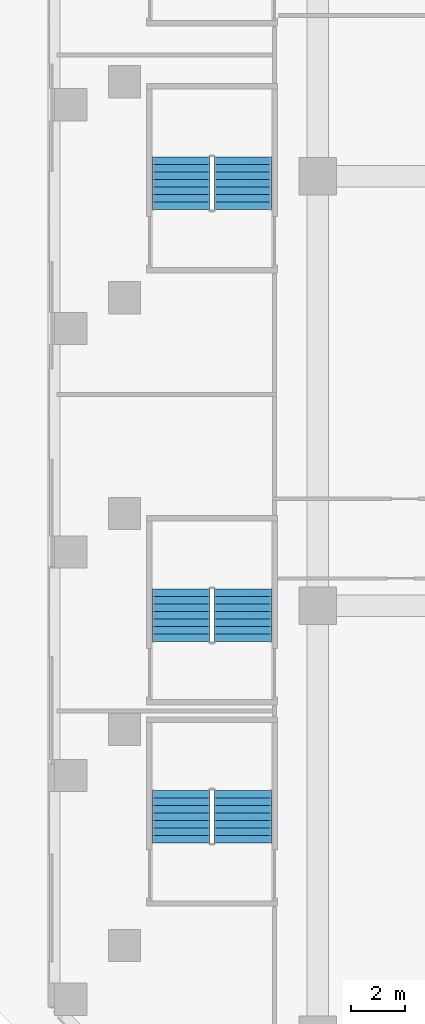
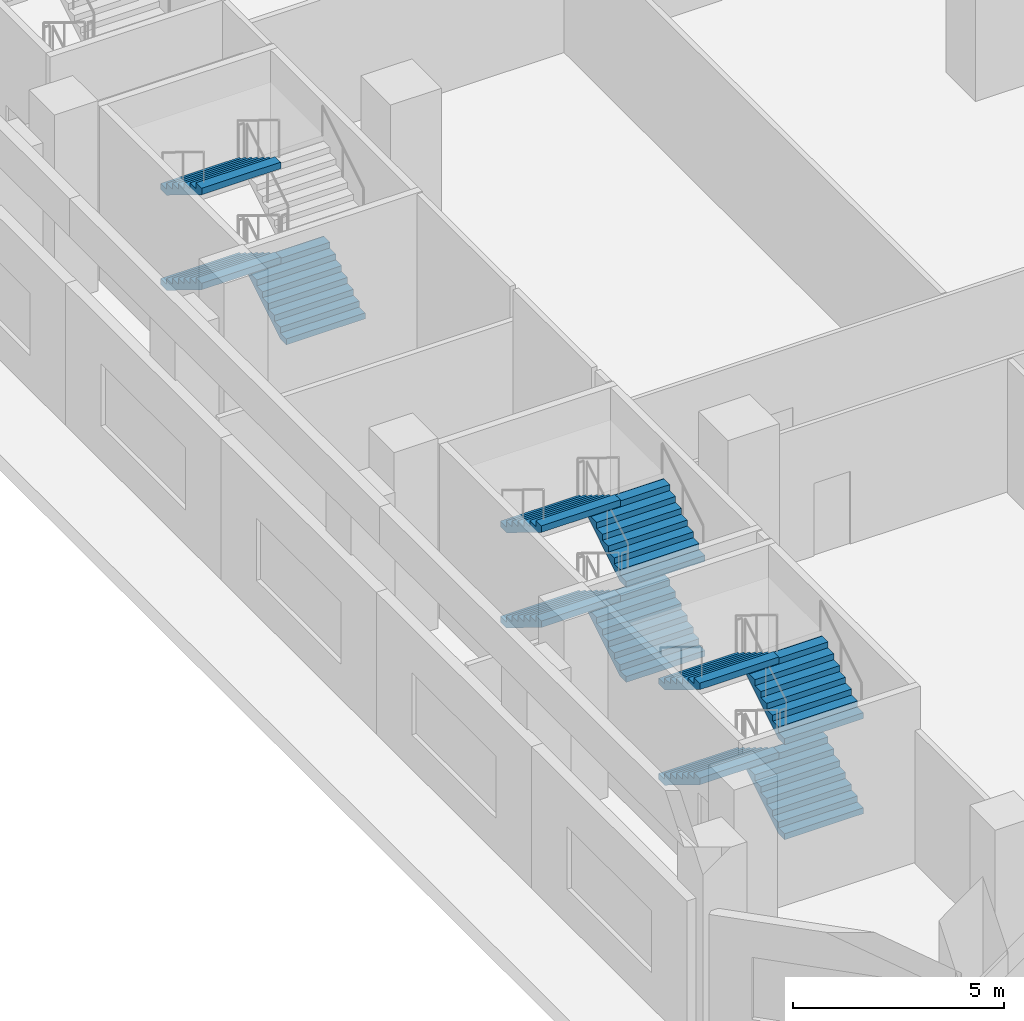
# One storey, part 13 of 22: 11 stair flights, 3 elements without a shape of their own.
"""IFC4 building model written with IfcOpenShell, lengths in metres."""

from ifc_helpers import new_model, si_unit, direction, frame, origin, place, context, subcontext, project, spatial, faceted_brep, source, transform, mapped, material, type_object, element, aggregate, save


model = new_model("IFC4")

# Units and contexts
model_context = context("Model", 3, precision=1e-05, world=origin(), true_north=direction((0.0, 1.0)))
body_context = subcontext(model_context, "Body", "Model", "MODEL_VIEW")
ifc_project = project(units=[si_unit("LENGTHUNIT", "METRE"), si_unit("AREAUNIT", "SQUARE_METRE"), si_unit("VOLUMEUNIT", "CUBIC_METRE"), si_unit("PLANEANGLEUNIT", "RADIAN"), si_unit("MASSUNIT", "GRAM", prefix="KILO")], contexts=[model_context])

# Site, building, storey
site_placement = place(None, origin())
site = spatial("IfcSite", under=ifc_project, at=site_placement, CompositionType="ELEMENT")
building_placement = place(site_placement, origin())
building = spatial("IfcBuilding", under=site, at=building_placement, Name="Calabash Gate Tower", CompositionType="ELEMENT")
storey_placement = place(building_placement, frame((0.0, 0.0, 34.5)))
storey = spatial("IfcBuildingStorey", under=building, at=storey_placement, Name="L04", CompositionType="ELEMENT", Elevation=34.5)

# Stair, stair flights
ifc_material_1 = material(Name="Concrete C40/50", Category="concrete")
stair_type = type_object("IfcStairType", Name="Public stair 32 risers of 171.9 mm", PredefinedType="HALF_TURN_STAIR", material=ifc_material_1)
stair_1_placement = place(storey_placement, origin())
stair_1 = element("IfcStair", 1, at=stair_1_placement, inside=storey, type_object=stair_type, Name="L04 Public Stair PS1", PredefinedType="HALF_TURN_STAIR")
ifc_material_2 = material(Name="Concrete C40/50", Category="concrete")
stair_flight_type = type_object("IfcStairFlightType", Name="Exit stair flight SFL", PredefinedType="STRAIGHT", material=ifc_material_2)
shared_shape = source(origin(), body_context, "Body", "Brep", [
    faceted_brep([(-0.0009765625, -1.080078125, 0.0), (0.285888671875, -1.080078125, 0.0), (1.9541015625, -1.080078125, 1.027099609375), (-0.0009765625, 1.080078125, 0.0), (1.9541015625, 1.080078125, 1.027099609375), (0.285888671875, 1.080078125, 0.0), (1.9541015625, -1.080078125, 1.215087890625), (1.952880859375, -1.080078125, 1.215087890625), (1.952880859375, 1.080078125, 1.215087890625), (1.9541015625, 1.080078125, 1.215087890625), (1.952880859375, -1.080078125, 1.203125), (1.952880859375, 1.080078125, 1.203125), (1.674072265625, -1.080078125, 1.203125), (1.674072265625, 1.080078125, 1.203125), (1.674072265625, -1.080078125, 1.03125), (1.674072265625, 1.080078125, 1.03125), (1.39501953125, -1.080078125, 1.03125), (1.39501953125, 1.080078125, 1.03125), (1.39501953125, -1.080078125, 0.859375), (1.39501953125, 1.080078125, 0.859375), (1.115966796875, -1.080078125, 0.859375), (1.115966796875, -1.080078125, 0.6875), (1.115966796875, 1.080078125, 0.6875), (1.115966796875, 1.080078125, 0.859375), (0.8369140625, -1.080078125, 0.6875), (0.8369140625, -1.080078125, 0.515625), (0.8369140625, 1.080078125, 0.515625), (0.8369140625, 1.080078125, 0.6875), (0.55810546875, -1.080078125, 0.515625), (0.55810546875, -1.080078125, 0.34375), (0.55810546875, 1.080078125, 0.34375), (0.55810546875, 1.080078125, 0.515625), (0.279052734375, -1.080078125, 0.34375), (0.279052734375, -1.080078125, 0.171875), (0.279052734375, 1.080078125, 0.171875), (0.279052734375, 1.080078125, 0.34375), (-0.0009765625, -1.080078125, 0.171875), (-0.0009765625, 1.080078125, 0.171875), (0.285888671875, -0.431884765625, 0.0), (1.9541015625, -0.431884765625, 1.027099609375), (0.285888671875, -0.370361328125, 0.0), (1.9541015625, -0.370361328125, 1.027099609375), (0.285888671875, -0.30859375, 0.0), (1.9541015625, -0.30859375, 1.027099609375), (0.285888671875, -0.246826171875, 0.0), (1.9541015625, -0.246826171875, 1.027099609375), (0.285888671875, -0.18505859375, 0.0), (1.9541015625, -0.18505859375, 1.027099609375), (0.285888671875, -0.12353515625, 0.0), (1.9541015625, -0.12353515625, 1.027099609375), (0.285888671875, -0.061767578125, 0.0), (1.9541015625, -0.061767578125, 1.027099609375), (0.285888671875, 0.0, 0.0), (1.9541015625, 0.0, 1.027099609375), (0.285888671875, 0.061767578125, 0.0), (1.9541015625, 0.061767578125, 1.027099609375), (0.285888671875, 0.12353515625, 0.0), (1.9541015625, 0.12353515625, 1.027099609375), (0.285888671875, 0.18505859375, 0.0), (1.9541015625, 0.18505859375, 1.027099609375), (0.285888671875, 0.246826171875, 0.0), (1.9541015625, 0.246826171875, 1.027099609375), (0.285888671875, 0.30859375, 0.0), (1.9541015625, 0.30859375, 1.027099609375), (0.285888671875, 0.370361328125, 0.0), (1.9541015625, 0.370361328125, 1.027099609375), (0.285888671875, 0.431884765625, 0.0), (1.9541015625, 0.431884765625, 1.027099609375), (1.9541015625, -0.431884765625, 1.215087890625), (1.9541015625, -0.370361328125, 1.215087890625), (1.9541015625, -0.30859375, 1.215087890625), (1.9541015625, -0.246826171875, 1.215087890625), (1.9541015625, -0.18505859375, 1.215087890625), (1.9541015625, -0.12353515625, 1.215087890625), (1.9541015625, -0.061767578125, 1.215087890625), (1.9541015625, 0.0, 1.215087890625), (1.9541015625, 0.061767578125, 1.215087890625), (1.9541015625, 0.12353515625, 1.215087890625), (1.9541015625, 0.18505859375, 1.215087890625), (1.9541015625, 0.246826171875, 1.215087890625), (1.9541015625, 0.30859375, 1.215087890625), (1.9541015625, 0.370361328125, 1.215087890625), (1.9541015625, 0.431884765625, 1.215087890625), (1.952880859375, -0.431884765625, 1.215087890625), (1.952880859375, -0.370361328125, 1.215087890625), (1.952880859375, -0.30859375, 1.215087890625), (1.952880859375, -0.246826171875, 1.215087890625), (1.952880859375, -0.18505859375, 1.215087890625), (1.952880859375, -0.12353515625, 1.215087890625), (1.952880859375, -0.061767578125, 1.215087890625), (1.952880859375, 0.0, 1.215087890625), (1.952880859375, 0.061767578125, 1.215087890625), (1.952880859375, 0.12353515625, 1.215087890625), (1.952880859375, 0.18505859375, 1.215087890625), (1.952880859375, 0.246826171875, 1.215087890625), (1.952880859375, 0.30859375, 1.215087890625), (1.952880859375, 0.370361328125, 1.215087890625), (1.952880859375, 0.431884765625, 1.215087890625), (1.952880859375, -0.431884765625, 1.203125), (1.952880859375, -0.370361328125, 1.203125), (1.952880859375, -0.30859375, 1.203125), (1.952880859375, -0.246826171875, 1.203125), (1.952880859375, -0.18505859375, 1.203125), (1.952880859375, -0.12353515625, 1.203125), (1.952880859375, -0.061767578125, 1.203125), (1.952880859375, 0.0, 1.203125), (1.952880859375, 0.061767578125, 1.203125), (1.952880859375, 0.12353515625, 1.203125), (1.952880859375, 0.18505859375, 1.203125), (1.952880859375, 0.246826171875, 1.203125), (1.952880859375, 0.30859375, 1.203125), (1.952880859375, 0.370361328125, 1.203125), (1.952880859375, 0.431884765625, 1.203125), (1.674072265625, -0.431884765625, 1.203125), (1.674072265625, -0.370361328125, 1.203125), (1.674072265625, -0.30859375, 1.203125), (1.674072265625, -0.246826171875, 1.203125), (1.674072265625, -0.18505859375, 1.203125), (1.674072265625, -0.12353515625, 1.203125), (1.674072265625, -0.061767578125, 1.203125), (1.674072265625, 0.0, 1.203125), (1.674072265625, 0.061767578125, 1.203125), (1.674072265625, 0.12353515625, 1.203125), (1.674072265625, 0.18505859375, 1.203125), (1.674072265625, 0.246826171875, 1.203125), (1.674072265625, 0.30859375, 1.203125), (1.674072265625, 0.370361328125, 1.203125), (1.674072265625, 0.431884765625, 1.203125), (1.674072265625, -0.431884765625, 1.03125), (1.674072265625, -0.370361328125, 1.03125), (1.674072265625, -0.30859375, 1.03125), (1.674072265625, -0.246826171875, 1.03125), (1.674072265625, -0.18505859375, 1.03125), (1.674072265625, -0.12353515625, 1.03125), (1.674072265625, -0.061767578125, 1.03125), (1.674072265625, 0.0, 1.03125), (1.674072265625, 0.061767578125, 1.03125), (1.674072265625, 0.12353515625, 1.03125), (1.674072265625, 0.18505859375, 1.03125), (1.674072265625, 0.246826171875, 1.03125), (1.674072265625, 0.30859375, 1.03125), (1.674072265625, 0.370361328125, 1.03125), (1.674072265625, 0.431884765625, 1.03125), (1.39501953125, -0.431884765625, 1.03125), (1.39501953125, -0.370361328125, 1.03125), (1.39501953125, -0.30859375, 1.03125), (1.39501953125, -0.246826171875, 1.03125), (1.39501953125, -0.18505859375, 1.03125), (1.39501953125, -0.12353515625, 1.03125), (1.39501953125, -0.061767578125, 1.03125), (1.39501953125, 0.0, 1.03125), (1.39501953125, 0.061767578125, 1.03125), (1.39501953125, 0.12353515625, 1.03125), (1.39501953125, 0.18505859375, 1.03125), (1.39501953125, 0.246826171875, 1.03125), (1.39501953125, 0.30859375, 1.03125), (1.39501953125, 0.370361328125, 1.03125), (1.39501953125, 0.431884765625, 1.03125), (1.39501953125, -0.431884765625, 0.859375), (1.39501953125, -0.370361328125, 0.859375), (1.39501953125, -0.30859375, 0.859375), (1.39501953125, -0.246826171875, 0.859375), (1.39501953125, -0.18505859375, 0.859375), (1.39501953125, -0.12353515625, 0.859375), (1.39501953125, -0.061767578125, 0.859375), (1.39501953125, 0.0, 0.859375), (1.39501953125, 0.061767578125, 0.859375), (1.39501953125, 0.12353515625, 0.859375), (1.39501953125, 0.18505859375, 0.859375), (1.39501953125, 0.246826171875, 0.859375), (1.39501953125, 0.30859375, 0.859375), (1.39501953125, 0.370361328125, 0.859375), (1.39501953125, 0.431884765625, 0.859375), (1.115966796875, -0.431884765625, 0.859375), (1.115966796875, -0.370361328125, 0.859375), (1.115966796875, -0.30859375, 0.859375), (1.115966796875, -0.246826171875, 0.859375), (1.115966796875, -0.18505859375, 0.859375), (1.115966796875, -0.12353515625, 0.859375), (1.115966796875, -0.061767578125, 0.859375), (1.115966796875, 0.0, 0.859375), (1.115966796875, 0.061767578125, 0.859375), (1.115966796875, 0.12353515625, 0.859375), (1.115966796875, 0.18505859375, 0.859375), (1.115966796875, 0.246826171875, 0.859375), (1.115966796875, 0.30859375, 0.859375), (1.115966796875, 0.370361328125, 0.859375), (1.115966796875, 0.431884765625, 0.859375), (1.115966796875, -0.431884765625, 0.6875), (1.115966796875, -0.370361328125, 0.6875), (1.115966796875, -0.30859375, 0.6875), (1.115966796875, -0.246826171875, 0.6875), (1.115966796875, -0.18505859375, 0.6875), (1.115966796875, -0.12353515625, 0.6875), (1.115966796875, -0.061767578125, 0.6875), (1.115966796875, 0.0, 0.6875), (1.115966796875, 0.061767578125, 0.6875), (1.115966796875, 0.12353515625, 0.6875), (1.115966796875, 0.18505859375, 0.6875), (1.115966796875, 0.246826171875, 0.6875), (1.115966796875, 0.30859375, 0.6875), (1.115966796875, 0.370361328125, 0.6875), (1.115966796875, 0.431884765625, 0.6875), (0.8369140625, -0.431884765625, 0.6875), (0.8369140625, -0.370361328125, 0.6875), (0.8369140625, -0.30859375, 0.6875), (0.8369140625, -0.246826171875, 0.6875), (0.8369140625, -0.18505859375, 0.6875), (0.8369140625, -0.12353515625, 0.6875), (0.8369140625, -0.061767578125, 0.6875), (0.8369140625, 0.0, 0.6875), (0.8369140625, 0.061767578125, 0.6875), (0.8369140625, 0.12353515625, 0.6875), (0.8369140625, 0.18505859375, 0.6875), (0.8369140625, 0.246826171875, 0.6875), (0.8369140625, 0.30859375, 0.6875), (0.8369140625, 0.370361328125, 0.6875), (0.8369140625, 0.431884765625, 0.6875), (0.8369140625, -0.431884765625, 0.515625), (0.8369140625, -0.370361328125, 0.515625), (0.8369140625, -0.30859375, 0.515625), (0.8369140625, -0.246826171875, 0.515625), (0.8369140625, -0.18505859375, 0.515625), (0.8369140625, -0.12353515625, 0.515625), (0.8369140625, -0.061767578125, 0.515625), (0.8369140625, 0.0, 0.515625), (0.8369140625, 0.061767578125, 0.515625), (0.8369140625, 0.12353515625, 0.515625), (0.8369140625, 0.18505859375, 0.515625), (0.8369140625, 0.246826171875, 0.515625), (0.8369140625, 0.30859375, 0.515625), (0.8369140625, 0.370361328125, 0.515625), (0.8369140625, 0.431884765625, 0.515625), (0.55810546875, -0.431884765625, 0.515625), (0.55810546875, -0.370361328125, 0.515625), (0.55810546875, -0.30859375, 0.515625), (0.55810546875, -0.246826171875, 0.515625), (0.55810546875, -0.18505859375, 0.515625), (0.55810546875, -0.12353515625, 0.515625), (0.55810546875, -0.061767578125, 0.515625), (0.55810546875, 0.0, 0.515625), (0.55810546875, 0.061767578125, 0.515625), (0.55810546875, 0.12353515625, 0.515625), (0.55810546875, 0.18505859375, 0.515625), (0.55810546875, 0.246826171875, 0.515625), (0.55810546875, 0.30859375, 0.515625), (0.55810546875, 0.370361328125, 0.515625), (0.55810546875, 0.431884765625, 0.515625), (0.55810546875, -0.431884765625, 0.34375), (0.55810546875, -0.370361328125, 0.34375), (0.55810546875, -0.30859375, 0.34375), (0.55810546875, -0.246826171875, 0.34375), (0.55810546875, -0.18505859375, 0.34375), (0.55810546875, -0.12353515625, 0.34375), (0.55810546875, -0.061767578125, 0.34375), (0.55810546875, 0.0, 0.34375), (0.55810546875, 0.061767578125, 0.34375), (0.55810546875, 0.12353515625, 0.34375), (0.55810546875, 0.18505859375, 0.34375), (0.55810546875, 0.246826171875, 0.34375), (0.55810546875, 0.30859375, 0.34375), (0.55810546875, 0.370361328125, 0.34375), (0.55810546875, 0.431884765625, 0.34375), (0.279052734375, -0.431884765625, 0.34375), (0.279052734375, -0.370361328125, 0.34375), (0.279052734375, -0.30859375, 0.34375), (0.279052734375, -0.246826171875, 0.34375), (0.279052734375, -0.18505859375, 0.34375), (0.279052734375, -0.12353515625, 0.34375), (0.279052734375, -0.061767578125, 0.34375), (0.279052734375, 0.0, 0.34375), (0.279052734375, 0.061767578125, 0.34375), (0.279052734375, 0.12353515625, 0.34375), (0.279052734375, 0.18505859375, 0.34375), (0.279052734375, 0.246826171875, 0.34375), (0.279052734375, 0.30859375, 0.34375), (0.279052734375, 0.370361328125, 0.34375), (0.279052734375, 0.431884765625, 0.34375), (0.279052734375, -0.431884765625, 0.171875), (0.279052734375, -0.370361328125, 0.171875), (0.279052734375, -0.30859375, 0.171875), (0.279052734375, -0.246826171875, 0.171875), (0.279052734375, -0.18505859375, 0.171875), (0.279052734375, -0.12353515625, 0.171875), (0.279052734375, -0.061767578125, 0.171875), (0.279052734375, 0.0, 0.171875), (0.279052734375, 0.061767578125, 0.171875), (0.279052734375, 0.12353515625, 0.171875), (0.279052734375, 0.18505859375, 0.171875), (0.279052734375, 0.246826171875, 0.171875), (0.279052734375, 0.30859375, 0.171875), (0.279052734375, 0.370361328125, 0.171875), (0.279052734375, 0.431884765625, 0.171875), (-0.0009765625, -0.431884765625, 0.171875), (-0.0009765625, -0.370361328125, 0.171875), (-0.0009765625, -0.30859375, 0.171875), (-0.0009765625, -0.246826171875, 0.171875), (-0.0009765625, -0.18505859375, 0.171875), (-0.0009765625, -0.12353515625, 0.171875), (-0.0009765625, -0.061767578125, 0.171875), (-0.0009765625, 0.0, 0.171875), (-0.0009765625, 0.061767578125, 0.171875), (-0.0009765625, 0.12353515625, 0.171875), (-0.0009765625, 0.18505859375, 0.171875), (-0.0009765625, 0.246826171875, 0.171875), (-0.0009765625, 0.30859375, 0.171875), (-0.0009765625, 0.370361328125, 0.171875), (-0.0009765625, 0.431884765625, 0.171875), (-0.0009765625, -0.431884765625, 0.0), (-0.0009765625, -0.370361328125, 0.0), (-0.0009765625, -0.30859375, 0.0), (-0.0009765625, -0.246826171875, 0.0), (-0.0009765625, -0.18505859375, 0.0), (-0.0009765625, -0.12353515625, 0.0), (-0.0009765625, -0.061767578125, 0.0), (-0.0009765625, 0.0, 0.0), (-0.0009765625, 0.061767578125, 0.0), (-0.0009765625, 0.12353515625, 0.0), (-0.0009765625, 0.18505859375, 0.0), (-0.0009765625, 0.246826171875, 0.0), (-0.0009765625, 0.30859375, 0.0), (-0.0009765625, 0.370361328125, 0.0), (-0.0009765625, 0.431884765625, 0.0)], [[[0, 1, 2]], [[3, 4, 5]], [[2, 6, 7]], [[4, 8, 9]], [[2, 7, 10]], [[4, 11, 8]], [[2, 10, 12]], [[4, 13, 11]], [[2, 12, 14]], [[4, 15, 13]], [[2, 14, 16]], [[4, 17, 15]], [[2, 16, 18]], [[4, 19, 17]], [[18, 20, 21]], [[19, 22, 23]], [[2, 18, 21]], [[4, 22, 19]], [[21, 24, 25]], [[22, 26, 27]], [[2, 21, 25]], [[4, 26, 22]], [[25, 28, 29]], [[26, 30, 31]], [[2, 25, 29]], [[4, 30, 26]], [[29, 32, 33]], [[30, 34, 35]], [[2, 29, 33]], [[4, 34, 30]], [[0, 2, 33]], [[3, 34, 4]], [[33, 36, 0]], [[34, 3, 37]], [[1, 38, 2]], [[38, 39, 2]], [[38, 40, 39]], [[40, 41, 39]], [[40, 42, 41]], [[42, 43, 41]], [[42, 44, 43]], [[44, 45, 43]], [[44, 46, 45]], [[46, 47, 45]], [[46, 48, 47]], [[48, 49, 47]], [[48, 50, 49]], [[50, 51, 49]], [[50, 52, 51]], [[52, 53, 51]], [[52, 54, 55]], [[52, 55, 53]], [[54, 56, 57]], [[54, 57, 55]], [[56, 58, 59]], [[56, 59, 57]], [[58, 60, 61]], [[58, 61, 59]], [[60, 62, 63]], [[60, 63, 61]], [[62, 64, 65]], [[62, 65, 63]], [[64, 66, 67]], [[64, 67, 65]], [[66, 5, 4]], [[66, 4, 67]], [[2, 39, 6]], [[39, 68, 6]], [[39, 41, 68]], [[41, 69, 68]], [[41, 43, 69]], [[43, 70, 69]], [[43, 45, 70]], [[45, 71, 70]], [[45, 47, 71]], [[47, 72, 71]], [[47, 49, 72]], [[49, 73, 72]], [[49, 51, 73]], [[51, 74, 73]], [[51, 53, 74]], [[53, 75, 74]], [[53, 55, 76]], [[53, 76, 75]], [[55, 57, 77]], [[55, 77, 76]], [[57, 59, 78]], [[57, 78, 77]], [[59, 61, 79]], [[59, 79, 78]], [[61, 63, 80]], [[61, 80, 79]], [[63, 65, 81]], [[63, 81, 80]], [[65, 67, 82]], [[65, 82, 81]], [[67, 4, 9]], [[67, 9, 82]], [[6, 68, 7]], [[68, 83, 7]], [[68, 69, 83]], [[69, 84, 83]], [[69, 70, 84]], [[70, 85, 84]], [[70, 71, 85]], [[71, 86, 85]], [[71, 72, 86]], [[72, 87, 86]], [[72, 73, 87]], [[73, 88, 87]], [[73, 74, 88]], [[74, 89, 88]], [[74, 75, 89]], [[75, 90, 89]], [[75, 76, 91]], [[75, 91, 90]], [[76, 77, 92]], [[76, 92, 91]], [[77, 78, 93]], [[77, 93, 92]], [[78, 79, 94]], [[78, 94, 93]], [[79, 80, 95]], [[79, 95, 94]], [[80, 81, 96]], [[80, 96, 95]], [[81, 82, 97]], [[81, 97, 96]], [[82, 9, 8]], [[82, 8, 97]], [[7, 83, 10]], [[83, 98, 10]], [[83, 84, 98]], [[84, 99, 98]], [[84, 85, 99]], [[85, 100, 99]], [[85, 86, 100]], [[86, 101, 100]], [[86, 87, 101]], [[87, 102, 101]], [[87, 88, 102]], [[88, 103, 102]], [[88, 89, 103]], [[89, 104, 103]], [[89, 90, 104]], [[90, 105, 104]], [[90, 91, 106]], [[90, 106, 105]], [[91, 92, 107]], [[91, 107, 106]], [[92, 93, 108]], [[92, 108, 107]], [[93, 94, 109]], [[93, 109, 108]], [[94, 95, 110]], [[94, 110, 109]], [[95, 96, 111]], [[95, 111, 110]], [[96, 97, 112]], [[96, 112, 111]], [[97, 8, 11]], [[97, 11, 112]], [[10, 98, 12]], [[98, 113, 12]], [[98, 99, 113]], [[99, 114, 113]], [[99, 100, 114]], [[100, 115, 114]], [[100, 101, 115]], [[101, 116, 115]], [[101, 102, 116]], [[102, 117, 116]], [[102, 103, 117]], [[103, 118, 117]], [[103, 104, 118]], [[104, 119, 118]], [[104, 105, 119]], [[105, 120, 119]], [[105, 106, 121]], [[105, 121, 120]], [[106, 107, 122]], [[106, 122, 121]], [[107, 108, 123]], [[107, 123, 122]], [[108, 109, 124]], [[108, 124, 123]], [[109, 110, 125]], [[109, 125, 124]], [[110, 111, 126]], [[110, 126, 125]], [[111, 112, 127]], [[111, 127, 126]], [[112, 11, 13]], [[112, 13, 127]], [[12, 113, 14]], [[113, 128, 14]], [[113, 114, 128]], [[114, 129, 128]], [[114, 115, 129]], [[115, 130, 129]], [[115, 116, 130]], [[116, 131, 130]], [[116, 117, 131]], [[117, 132, 131]], [[117, 118, 132]], [[118, 133, 132]], [[118, 119, 133]], [[119, 134, 133]], [[119, 120, 134]], [[120, 135, 134]], [[120, 121, 136]], [[120, 136, 135]], [[121, 122, 137]], [[121, 137, 136]], [[122, 123, 138]], [[122, 138, 137]], [[123, 124, 139]], [[123, 139, 138]], [[124, 125, 140]], [[124, 140, 139]], [[125, 126, 141]], [[125, 141, 140]], [[126, 127, 142]], [[126, 142, 141]], [[127, 13, 15]], [[127, 15, 142]], [[14, 128, 16]], [[128, 143, 16]], [[128, 129, 143]], [[129, 144, 143]], [[129, 130, 144]], [[130, 145, 144]], [[130, 131, 145]], [[131, 146, 145]], [[131, 132, 146]], [[132, 147, 146]], [[132, 133, 147]], [[133, 148, 147]], [[133, 134, 148]], [[134, 149, 148]], [[134, 135, 149]], [[135, 150, 149]], [[135, 136, 151]], [[135, 151, 150]], [[136, 137, 152]], [[136, 152, 151]], [[137, 138, 153]], [[137, 153, 152]], [[138, 139, 154]], [[138, 154, 153]], [[139, 140, 155]], [[139, 155, 154]], [[140, 141, 156]], [[140, 156, 155]], [[141, 142, 157]], [[141, 157, 156]], [[142, 15, 17]], [[142, 17, 157]], [[16, 143, 18]], [[143, 158, 18]], [[143, 144, 158]], [[144, 159, 158]], [[144, 145, 159]], [[145, 160, 159]], [[145, 146, 160]], [[146, 161, 160]], [[146, 147, 161]], [[147, 162, 161]], [[147, 148, 162]], [[148, 163, 162]], [[148, 149, 163]], [[149, 164, 163]], [[149, 150, 164]], [[150, 165, 164]], [[150, 151, 166]], [[150, 166, 165]], [[151, 152, 167]], [[151, 167, 166]], [[152, 153, 168]], [[152, 168, 167]], [[153, 154, 169]], [[153, 169, 168]], [[154, 155, 170]], [[154, 170, 169]], [[155, 156, 171]], [[155, 171, 170]], [[156, 157, 172]], [[156, 172, 171]], [[157, 17, 19]], [[157, 19, 172]], [[18, 158, 20]], [[158, 173, 20]], [[158, 159, 173]], [[159, 174, 173]], [[159, 160, 174]], [[160, 175, 174]], [[160, 161, 175]], [[161, 176, 175]], [[161, 162, 176]], [[162, 177, 176]], [[162, 163, 177]], [[163, 178, 177]], [[163, 164, 178]], [[164, 179, 178]], [[164, 165, 179]], [[165, 180, 179]], [[165, 166, 181]], [[165, 181, 180]], [[166, 167, 182]], [[166, 182, 181]], [[167, 168, 183]], [[167, 183, 182]], [[168, 169, 184]], [[168, 184, 183]], [[169, 170, 185]], [[169, 185, 184]], [[170, 171, 186]], [[170, 186, 185]], [[171, 172, 187]], [[171, 187, 186]], [[172, 19, 23]], [[172, 23, 187]], [[20, 173, 21]], [[173, 188, 21]], [[173, 174, 188]], [[174, 189, 188]], [[174, 175, 189]], [[175, 190, 189]], [[175, 176, 190]], [[176, 191, 190]], [[176, 177, 191]], [[177, 192, 191]], [[177, 178, 192]], [[178, 193, 192]], [[178, 179, 193]], [[179, 194, 193]], [[179, 180, 194]], [[180, 195, 194]], [[180, 181, 196]], [[180, 196, 195]], [[181, 182, 197]], [[181, 197, 196]], [[182, 183, 198]], [[182, 198, 197]], [[183, 184, 199]], [[183, 199, 198]], [[184, 185, 200]], [[184, 200, 199]], [[185, 186, 201]], [[185, 201, 200]], [[186, 187, 202]], [[186, 202, 201]], [[187, 23, 22]], [[187, 22, 202]], [[21, 188, 24]], [[188, 203, 24]], [[188, 189, 203]], [[189, 204, 203]], [[189, 190, 204]], [[190, 205, 204]], [[190, 191, 205]], [[191, 206, 205]], [[191, 192, 206]], [[192, 207, 206]], [[192, 193, 207]], [[193, 208, 207]], [[193, 194, 208]], [[194, 209, 208]], [[194, 195, 209]], [[195, 210, 209]], [[195, 196, 211]], [[195, 211, 210]], [[196, 197, 212]], [[196, 212, 211]], [[197, 198, 213]], [[197, 213, 212]], [[198, 199, 214]], [[198, 214, 213]], [[199, 200, 215]], [[199, 215, 214]], [[200, 201, 216]], [[200, 216, 215]], [[201, 202, 217]], [[201, 217, 216]], [[202, 22, 27]], [[202, 27, 217]], [[24, 203, 25]], [[203, 218, 25]], [[203, 204, 218]], [[204, 219, 218]], [[204, 205, 219]], [[205, 220, 219]], [[205, 206, 220]], [[206, 221, 220]], [[206, 207, 221]], [[207, 222, 221]], [[207, 208, 222]], [[208, 223, 222]], [[208, 209, 223]], [[209, 224, 223]], [[209, 210, 224]], [[210, 225, 224]], [[210, 211, 226]], [[210, 226, 225]], [[211, 212, 227]], [[211, 227, 226]], [[212, 213, 228]], [[212, 228, 227]], [[213, 214, 229]], [[213, 229, 228]], [[214, 215, 230]], [[214, 230, 229]], [[215, 216, 231]], [[215, 231, 230]], [[216, 217, 232]], [[216, 232, 231]], [[217, 27, 26]], [[217, 26, 232]], [[25, 218, 28]], [[218, 233, 28]], [[218, 219, 233]], [[219, 234, 233]], [[219, 220, 234]], [[220, 235, 234]], [[220, 221, 235]], [[221, 236, 235]], [[221, 222, 236]], [[222, 237, 236]], [[222, 223, 237]], [[223, 238, 237]], [[223, 224, 238]], [[224, 239, 238]], [[224, 225, 239]], [[225, 240, 239]], [[225, 226, 241]], [[225, 241, 240]], [[226, 227, 242]], [[226, 242, 241]], [[227, 228, 243]], [[227, 243, 242]], [[228, 229, 244]], [[228, 244, 243]], [[229, 230, 245]], [[229, 245, 244]], [[230, 231, 246]], [[230, 246, 245]], [[231, 232, 247]], [[231, 247, 246]], [[232, 26, 31]], [[232, 31, 247]], [[28, 233, 29]], [[233, 248, 29]], [[233, 234, 248]], [[234, 249, 248]], [[234, 235, 249]], [[235, 250, 249]], [[235, 236, 250]], [[236, 251, 250]], [[236, 237, 251]], [[237, 252, 251]], [[237, 238, 252]], [[238, 253, 252]], [[238, 239, 253]], [[239, 254, 253]], [[239, 240, 254]], [[240, 255, 254]], [[240, 241, 256]], [[240, 256, 255]], [[241, 242, 257]], [[241, 257, 256]], [[242, 243, 258]], [[242, 258, 257]], [[243, 244, 259]], [[243, 259, 258]], [[244, 245, 260]], [[244, 260, 259]], [[245, 246, 261]], [[245, 261, 260]], [[246, 247, 262]], [[246, 262, 261]], [[247, 31, 30]], [[247, 30, 262]], [[29, 248, 32]], [[248, 263, 32]], [[248, 249, 263]], [[249, 264, 263]], [[249, 250, 264]], [[250, 265, 264]], [[250, 251, 265]], [[251, 266, 265]], [[251, 252, 266]], [[252, 267, 266]], [[252, 253, 267]], [[253, 268, 267]], [[253, 254, 268]], [[254, 269, 268]], [[254, 255, 269]], [[255, 270, 269]], [[255, 256, 271]], [[255, 271, 270]], [[256, 257, 272]], [[256, 272, 271]], [[257, 258, 273]], [[257, 273, 272]], [[258, 259, 274]], [[258, 274, 273]], [[259, 260, 275]], [[259, 275, 274]], [[260, 261, 276]], [[260, 276, 275]], [[261, 262, 277]], [[261, 277, 276]], [[262, 30, 35]], [[262, 35, 277]], [[32, 263, 33]], [[263, 278, 33]], [[263, 264, 278]], [[264, 279, 278]], [[264, 265, 279]], [[265, 280, 279]], [[265, 266, 280]], [[266, 281, 280]], [[266, 267, 281]], [[267, 282, 281]], [[267, 268, 282]], [[268, 283, 282]], [[268, 269, 283]], [[269, 284, 283]], [[269, 270, 284]], [[270, 285, 284]], [[270, 271, 286]], [[270, 286, 285]], [[271, 272, 287]], [[271, 287, 286]], [[272, 273, 288]], [[272, 288, 287]], [[273, 274, 289]], [[273, 289, 288]], [[274, 275, 290]], [[274, 290, 289]], [[275, 276, 291]], [[275, 291, 290]], [[276, 277, 292]], [[276, 292, 291]], [[277, 35, 34]], [[277, 34, 292]], [[33, 278, 36]], [[278, 293, 36]], [[278, 279, 293]], [[279, 294, 293]], [[279, 280, 294]], [[280, 295, 294]], [[280, 281, 295]], [[281, 296, 295]], [[281, 282, 296]], [[282, 297, 296]], [[282, 283, 297]], [[283, 298, 297]], [[283, 284, 298]], [[284, 299, 298]], [[284, 285, 299]], [[285, 300, 299]], [[285, 286, 301]], [[285, 301, 300]], [[286, 287, 302]], [[286, 302, 301]], [[287, 288, 303]], [[287, 303, 302]], [[288, 289, 304]], [[288, 304, 303]], [[289, 290, 305]], [[289, 305, 304]], [[290, 291, 306]], [[290, 306, 305]], [[291, 292, 307]], [[291, 307, 306]], [[292, 34, 37]], [[292, 37, 307]], [[36, 293, 0]], [[293, 308, 0]], [[293, 294, 308]], [[294, 309, 308]], [[294, 295, 309]], [[295, 310, 309]], [[295, 296, 310]], [[296, 311, 310]], [[296, 297, 311]], [[297, 312, 311]], [[297, 298, 312]], [[298, 313, 312]], [[298, 299, 313]], [[299, 314, 313]], [[299, 300, 314]], [[300, 315, 314]], [[300, 301, 316]], [[300, 316, 315]], [[301, 302, 317]], [[301, 317, 316]], [[302, 303, 318]], [[302, 318, 317]], [[303, 304, 319]], [[303, 319, 318]], [[304, 305, 320]], [[304, 320, 319]], [[305, 306, 321]], [[305, 321, 320]], [[306, 307, 322]], [[306, 322, 321]], [[307, 37, 3]], [[307, 3, 322]], [[0, 308, 1]], [[308, 38, 1]], [[308, 309, 38]], [[309, 40, 38]], [[309, 310, 40]], [[310, 42, 40]], [[310, 311, 42]], [[311, 44, 42]], [[311, 312, 44]], [[312, 46, 44]], [[312, 313, 46]], [[313, 48, 46]], [[313, 314, 48]], [[314, 50, 48]], [[314, 315, 50]], [[315, 52, 50]], [[315, 316, 54]], [[315, 54, 52]], [[316, 317, 56]], [[316, 56, 54]], [[317, 318, 58]], [[317, 58, 56]], [[318, 319, 60]], [[318, 60, 58]], [[319, 320, 62]], [[319, 62, 60]], [[320, 321, 64]], [[320, 64, 62]], [[321, 322, 66]], [[321, 66, 64]], [[322, 3, 5]], [[322, 5, 66]]]),
])
stair_flight_1_placement = place(storey_placement, frame((-34.780029296875, -32.840087890625, 0.0), z_axis=(0.0, 0.0, 1.0), x_axis=(0.0, 1.0, 0.0)))
stair_flight_1 = element("IfcStairFlight", 2, at=stair_flight_1_placement, type_object=stair_flight_type, Name="PS1 flight 1", NumberOfRisers=8, NumberOfTreads=7, PredefinedType="STRAIGHT", RiserHeight=0.171875, TreadLength=0.279, context=body_context, shape_type="MappedRepresentation", body=[
    mapped(shared_shape, transform((0.0, 0.0, 0.0), scale=1.0)),
])
stair_flight_2_placement = place(storey_placement, frame((-37.090087890625, -30.886962890625, 1.375), z_axis=(0.0, 0.0, 1.0), x_axis=(0.0, -1.0, 0.0)))
stair_flight_2 = element("IfcStairFlight", 3, at=stair_flight_2_placement, type_object=stair_flight_type, Name="PS1 flight 2", NumberOfRisers=8, NumberOfTreads=7, PredefinedType="STRAIGHT", RiserHeight=0.171875, TreadLength=0.279, context=body_context, shape_type="MappedRepresentation", body=[
    mapped(shared_shape, transform((0.0, 0.0, 0.0), scale=1.0)),
])
stair_flight_3_placement = place(storey_placement, frame((-34.780029296875, -32.840087890625, 2.75), z_axis=(0.0, 0.0, 1.0), x_axis=(0.0, 1.0, 0.0)))
stair_flight_3 = element("IfcStairFlight", 4, at=stair_flight_3_placement, type_object=stair_flight_type, Name="PS1 flight 3", NumberOfRisers=8, NumberOfTreads=7, PredefinedType="STRAIGHT", RiserHeight=0.171875, TreadLength=0.279, context=body_context, shape_type="MappedRepresentation", body=[
    mapped(shared_shape, transform((0.0, 0.0, 0.0), scale=1.0)),
])
stair_flight_4_placement = place(storey_placement, frame((-37.090087890625, -30.886962890625, 4.125), z_axis=(0.0, 0.0, 1.0), x_axis=(0.0, -1.0, 0.0)))
stair_flight_4 = element("IfcStairFlight", 5, at=stair_flight_4_placement, type_object=stair_flight_type, Name="PS1 flight 4", NumberOfRisers=8, NumberOfTreads=7, PredefinedType="STRAIGHT", RiserHeight=0.171875, TreadLength=0.279, context=body_context, shape_type="MappedRepresentation", body=[
    mapped(shared_shape, transform((0.0, 0.0, 0.0), scale=1.0)),
])
aggregate(stair_1, [stair_flight_1, stair_flight_2, stair_flight_3, stair_flight_4])

stair_2_placement = place(storey_placement, origin())
stair_2 = element("IfcStair", 6, at=stair_2_placement, inside=storey, type_object=stair_type, Name="L04 Public Stair PS2", PredefinedType="HALF_TURN_STAIR")
stair_flight_5_placement = place(storey_placement, frame((-34.780029296875, -25.340087890625, 0.0), z_axis=(0.0, 0.0, 1.0), x_axis=(0.0, 1.0, 0.0)))
stair_flight_5 = element("IfcStairFlight", 7, at=stair_flight_5_placement, type_object=stair_flight_type, Name="PS2 flight 1", NumberOfRisers=8, NumberOfTreads=7, PredefinedType="STRAIGHT", RiserHeight=0.171875, TreadLength=0.279, context=body_context, shape_type="MappedRepresentation", body=[
    mapped(shared_shape, transform((0.0, 0.0, 0.0), scale=1.0)),
])
stair_flight_6_placement = place(storey_placement, frame((-37.090087890625, -23.386962890625, 1.375), z_axis=(0.0, 0.0, 1.0), x_axis=(0.0, -1.0, 0.0)))
stair_flight_6 = element("IfcStairFlight", 8, at=stair_flight_6_placement, type_object=stair_flight_type, Name="PS2 flight 2", NumberOfRisers=8, NumberOfTreads=7, PredefinedType="STRAIGHT", RiserHeight=0.171875, TreadLength=0.279, context=body_context, shape_type="MappedRepresentation", body=[
    mapped(shared_shape, transform((0.0, 0.0, 0.0), scale=1.0)),
])
stair_flight_7_placement = place(storey_placement, frame((-34.780029296875, -25.340087890625, 2.75), z_axis=(0.0, 0.0, 1.0), x_axis=(0.0, 1.0, 0.0)))
stair_flight_7 = element("IfcStairFlight", 9, at=stair_flight_7_placement, type_object=stair_flight_type, Name="PS2 flight 3", NumberOfRisers=8, NumberOfTreads=7, PredefinedType="STRAIGHT", RiserHeight=0.171875, TreadLength=0.279, context=body_context, shape_type="MappedRepresentation", body=[
    mapped(shared_shape, transform((0.0, 0.0, 0.0), scale=1.0)),
])
stair_flight_8_placement = place(storey_placement, frame((-37.090087890625, -23.386962890625, 4.125), z_axis=(0.0, 0.0, 1.0), x_axis=(0.0, -1.0, 0.0)))
stair_flight_8 = element("IfcStairFlight", 10, at=stair_flight_8_placement, type_object=stair_flight_type, Name="PS2 flight 4", NumberOfRisers=8, NumberOfTreads=7, PredefinedType="STRAIGHT", RiserHeight=0.171875, TreadLength=0.279, context=body_context, shape_type="MappedRepresentation", body=[
    mapped(shared_shape, transform((0.0, 0.0, 0.0), scale=1.0)),
])
aggregate(stair_2, [stair_flight_5, stair_flight_6, stair_flight_7, stair_flight_8])

stair_3_placement = place(storey_placement, origin())
stair_3 = element("IfcStair", 11, at=stair_3_placement, inside=storey, type_object=stair_type, Name="L04 Public Stair PS3", PredefinedType="HALF_TURN_STAIR")
stair_flight_9_placement = place(storey_placement, frame((-34.780029296875, -9.239990234375, 0.0), z_axis=(0.0, 0.0, 1.0), x_axis=(0.0, 1.0, 0.0)))
stair_flight_9 = element("IfcStairFlight", 12, at=stair_flight_9_placement, type_object=stair_flight_type, Name="PS3 flight 1", NumberOfRisers=8, NumberOfTreads=7, PredefinedType="STRAIGHT", RiserHeight=0.171875, TreadLength=0.279, context=body_context, shape_type="MappedRepresentation", body=[
    mapped(shared_shape, transform((0.0, 0.0, 0.0), scale=1.0)),
])
stair_flight_10_placement = place(storey_placement, frame((-37.090087890625, -7.287109375, 1.375), z_axis=(0.0, 0.0, 1.0), x_axis=(0.0, -1.0, 0.0)))
stair_flight_10 = element("IfcStairFlight", 13, at=stair_flight_10_placement, type_object=stair_flight_type, Name="PS3 flight 2", NumberOfRisers=8, NumberOfTreads=7, PredefinedType="STRAIGHT", RiserHeight=0.171875, TreadLength=0.279, context=body_context, shape_type="MappedRepresentation", body=[
    mapped(shared_shape, transform((0.0, 0.0, 0.0), scale=1.0)),
])
stair_flight_11_placement = place(storey_placement, frame((-37.090087890625, -7.287109375, 4.125), z_axis=(0.0, 0.0, 1.0), x_axis=(0.0, -1.0, 0.0)))
stair_flight_11 = element("IfcStairFlight", 14, at=stair_flight_11_placement, type_object=stair_flight_type, Name="PS3 flight 4", NumberOfRisers=8, NumberOfTreads=7, PredefinedType="STRAIGHT", RiserHeight=0.171875, TreadLength=0.279, context=body_context, shape_type="MappedRepresentation", body=[
    mapped(shared_shape, transform((0.0, 0.0, 0.0), scale=1.0)),
])
aggregate(stair_3, [stair_flight_9, stair_flight_10, stair_flight_11])

save(model, "model.ifc")
